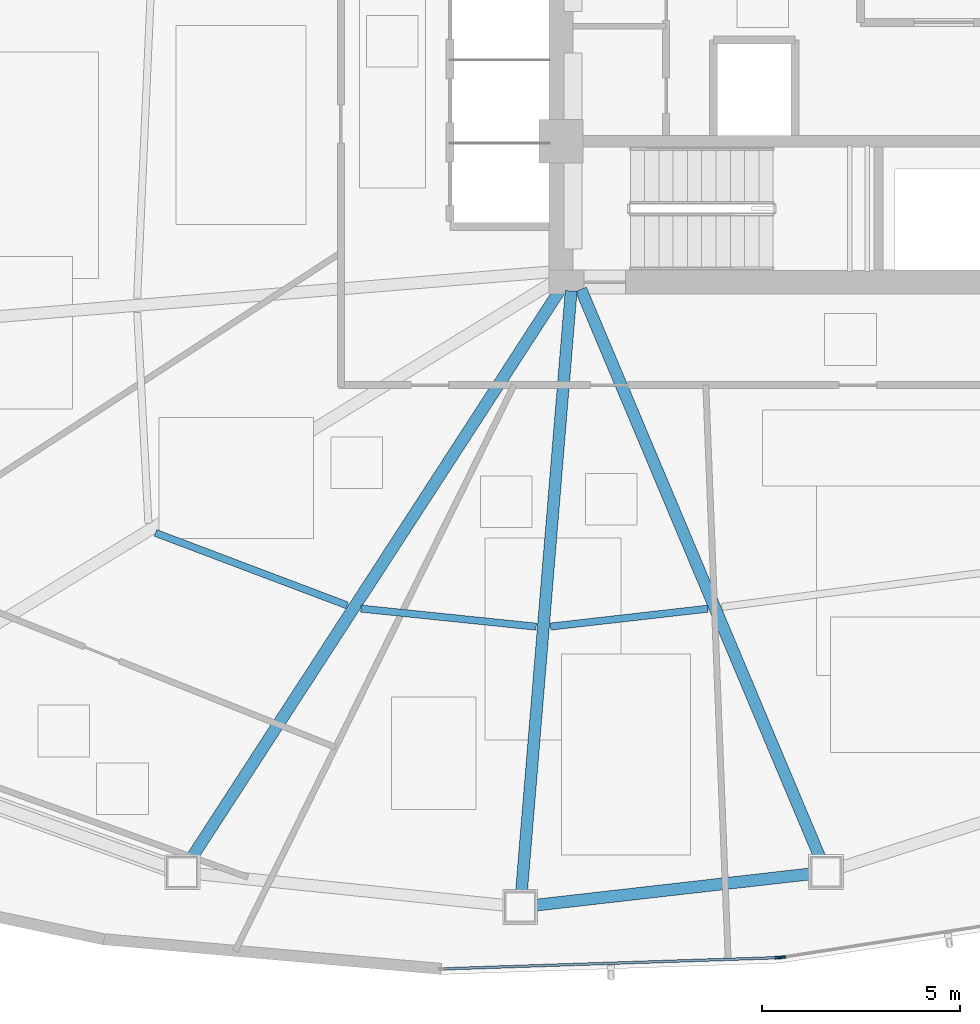
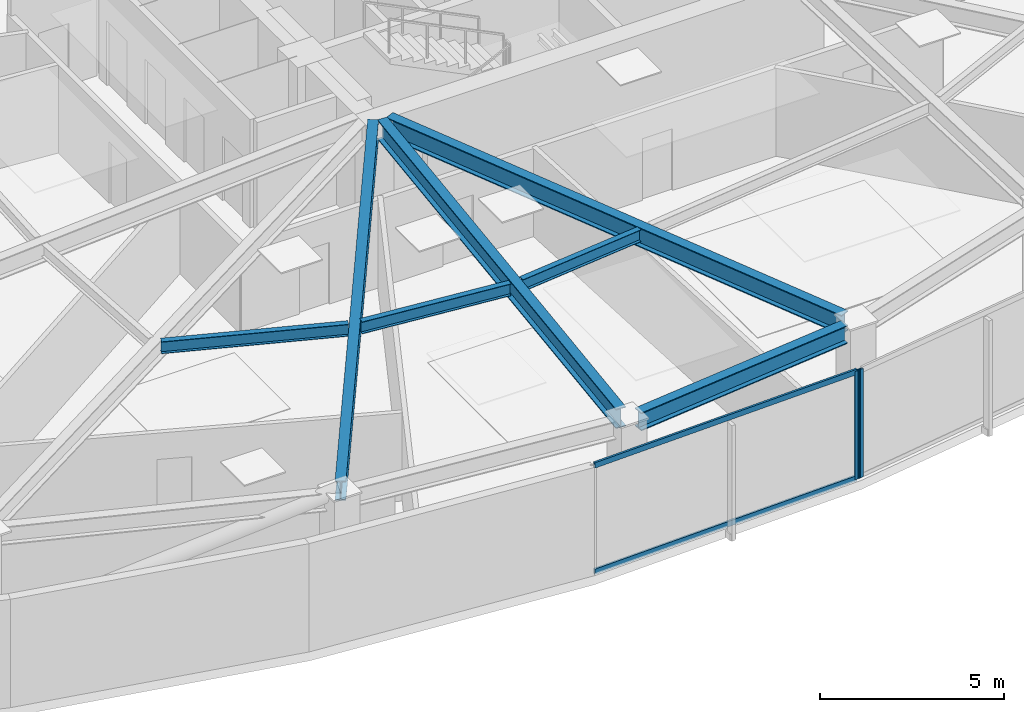
# One storey, part 3 of 18: 7 beams, 4 members, 2 elements without a shape of their own.
"""IFC4 building model written with IfcOpenShell, lengths in metres."""

from ifc_helpers import new_model, si_unit, direction, frame, origin, origin_2d, place, context, subcontext, project, spatial, hollow_rectangle, i_section, extrude, source, transform, mapped, material, layer, layer_set, material_profile, profile_set, type_object, type_shapes, element, aggregate, save


model = new_model("IFC4")

# Units and contexts
model_context = context("Model", 3, precision=1e-05, world=origin(), true_north=direction((0.0, 1.0)))
body_context = subcontext(model_context, "Body", "Model", "MODEL_VIEW")
ifc_project = project(units=[si_unit("LENGTHUNIT", "METRE"), si_unit("AREAUNIT", "SQUARE_METRE"), si_unit("VOLUMEUNIT", "CUBIC_METRE"), si_unit("PLANEANGLEUNIT", "RADIAN"), si_unit("MASSUNIT", "GRAM", prefix="KILO")], contexts=[model_context])

# Site, building, storey
site_placement = place(None, origin())
site = spatial("IfcSite", under=ifc_project, at=site_placement, CompositionType="ELEMENT")
building_placement = place(site_placement, origin())
building = spatial("IfcBuilding", under=site, at=building_placement, Name="Tavelor Broadcast Tower", CompositionType="ELEMENT")
storey_placement = place(building_placement, frame((0.0, 0.0, 47.10009765625)))
storey = spatial("IfcBuildingStorey", under=building, at=storey_placement, Name="L10", CompositionType="ELEMENT", Elevation=47.10009765625)

# Beams
ifc_material_1 = material(Name="Steel S355", Category="steel")
ifc_material_profile_1 = material_profile(ifc_material_1, i_section(OverallWidth=0.179931640625, OverallDepth=0.39990234375, WebThickness=0.008544921875, FlangeThickness=0.013427734375, at=origin_2d()), Name="IPE 400")
ifc_profile_set_1 = profile_set([ifc_material_profile_1], Name="Steel S355")
beam_type_1 = type_object("IfcBeamType", Name="Composite Floor Joist T1 IPE 400", PredefinedType="JOIST", material=ifc_profile_set_1)
beam_1_placement = place(storey_placement, frame((32.875732421875, 32.172119140625, 3.39990234375), z_axis=(0.935393222228, -0.353609275629, 0.0), x_axis=(0.353609275629, 0.935393222228, 0.0)))
element("IfcBeam", 1, at=beam_1_placement, inside=storey, type_object=beam_type_1, Name="L10 Secondary Composite Floor Joist 07", PredefinedType="JOIST", context=body_context, shape_type="SweptSolid", body=[
    extrude(i_section(OverallWidth=0.179931640625, OverallDepth=0.39990234375, WebThickness=0.008544921875, FlangeThickness=0.013427734375, at=origin_2d()), origin(), (0.0, 0.0, 1.0), 5.16357421875),
])
beam_2_placement = place(storey_placement, frame((38.05517578125, 30.263671875, 3.39990234375), z_axis=(0.994731276638, -0.102516765835, 0.0), x_axis=(0.102516765835, 0.994731276638, 0.0)))
element("IfcBeam", 2, at=beam_2_placement, inside=storey, type_object=beam_type_1, Name="L10 Secondary Composite Floor Joist 08", PredefinedType="JOIST", context=body_context, shape_type="SweptSolid", body=[
    extrude(i_section(OverallWidth=0.179931640625, OverallDepth=0.39990234375, WebThickness=0.008544921875, FlangeThickness=0.013427734375, at=origin_2d()), origin(), (0.0, 0.0, 1.0), 4.44384765625),
])
beam_3_placement = place(storey_placement, frame((42.83544921875, 29.81005859375, 3.39990234375), z_axis=(0.993584195036, 0.113094860076, 0.0), x_axis=(-0.113094860076, 0.993584195036, 0.0)))
element("IfcBeam", 3, at=beam_3_placement, inside=storey, type_object=beam_type_1, Name="L10 Secondary Composite Floor Joist 09", PredefinedType="JOIST", context=body_context, shape_type="SweptSolid", body=[
    extrude(i_section(OverallWidth=0.179931640625, OverallDepth=0.39990234375, WebThickness=0.008544921875, FlangeThickness=0.013427734375, at=origin_2d()), origin(), (0.0, 0.0, 1.0), 3.99365234375),
])
ifc_material_profile_2 = material_profile(ifc_material_1, i_section(OverallWidth=0.300048828125, OverallDepth=0.60009765625, WebThickness=0.015380859375, FlangeThickness=0.030029296875, at=origin_2d()), Name="HEB 600")
ifc_profile_set_2 = profile_set([ifc_material_profile_2], Name="Steel S355")
beam_type_2 = type_object("IfcBeamType", Name="Perimeter Spandrel Beam T1 HEB 600", PredefinedType="SPANDREL", material=ifc_profile_set_2)
beam_4_placement = place(storey_placement, frame((42.45458984375, 22.783935546875, 3.2998046875), z_axis=(0.993590028959, 0.113043594921, 0.0), x_axis=(-0.113043594921, 0.993590028959, 0.0)))
element("IfcBeam", 4, at=beam_4_placement, inside=storey, type_object=beam_type_2, Name="L10 Framed-Tube Ring Spandrel 09", PredefinedType="SPANDREL", context=body_context, shape_type="SweptSolid", body=[
    extrude(i_section(OverallWidth=0.300048828125, OverallDepth=0.60009765625, WebThickness=0.015380859375, FlangeThickness=0.030029296875, at=origin_2d()), origin(), (0.0, 0.0, 1.0), 6.995361328125),
])
ifc_material_profile_3 = material_profile(ifc_material_1, i_section(OverallWidth=0.300048828125, OverallDepth=0.64990234375, WebThickness=0.01611328125, FlangeThickness=0.031005859375, at=origin_2d()), Name="HEB 650")
ifc_profile_set_3 = profile_set([ifc_material_profile_3], Name="Steel S355")
beam_type_3 = type_object("IfcBeamType", Name="Radial Floor Girder T1 HEB 650", PredefinedType="BEAM", material=ifc_profile_set_3)
beam_5_placement = place(storey_placement, frame((43.11279296875, 38.35693359375, 3.27490234375), z_axis=(-0.544182728087, -0.838966720706, 0.0), x_axis=(0.838966720706, -0.544182728087, 0.0)))
element("IfcBeam", 5, at=beam_5_placement, inside=storey, type_object=beam_type_3, Name="L10 Radial Primary Floor Girder 08", PredefinedType="BEAM", context=body_context, shape_type="SweptSolid", body=[
    extrude(i_section(OverallWidth=0.300048828125, OverallDepth=0.64990234375, WebThickness=0.01611328125, FlangeThickness=0.031005859375, at=origin_2d()), origin(), (0.0, 0.0, 1.0), 17.186767578125),
])
beam_6_placement = place(storey_placement, frame((43.3564453125, 38.273681640625, 3.27490234375), z_axis=(-0.082338386508, -0.996604430106, 0.0), x_axis=(0.996604430106, -0.082338386508, 0.0)))
element("IfcBeam", 6, at=beam_6_placement, inside=storey, type_object=beam_type_3, Name="L10 Radial Primary Floor Girder 09", PredefinedType="BEAM", context=body_context, shape_type="SweptSolid", body=[
    extrude(i_section(OverallWidth=0.300048828125, OverallDepth=0.64990234375, WebThickness=0.01611328125, FlangeThickness=0.031005859375, at=origin_2d()), origin(), (0.0, 0.0, 1.0), 15.201904296875),
])
beam_7_placement = place(storey_placement, frame((43.604736328125, 38.313232421875, 3.27490234375), z_axis=(0.387757434366, -0.921761450753, 0.0), x_axis=(0.921761450753, 0.387757434366, 0.0)))
element("IfcBeam", 7, at=beam_7_placement, inside=storey, type_object=beam_type_3, Name="L10 Radial Primary Floor Girder 10", PredefinedType="BEAM", context=body_context, shape_type="SweptSolid", body=[
    extrude(i_section(OverallWidth=0.300048828125, OverallDepth=0.64990234375, WebThickness=0.01611328125, FlangeThickness=0.031005859375, at=origin_2d()), origin(), (0.0, 0.0, 1.0), 15.55859375),
])

# Curtain wall, member
ifc_material_2 = material(Name="Architectural Anodized Aluminium", Category="aluminium")
ifc_layer = layer(ifc_material_2, 0.179931640625)
ifc_layer_set = layer_set([ifc_layer], Name="Architectural Anodized Aluminium")
curtain_wall_type = type_object("IfcCurtainWallType", Name="Tower Low-Zone Unitised Curtain Wall CW02", PredefinedType="NOTDEFINED", material=ifc_layer_set)
curtain_wall_1_placement = place(storey_placement, origin())
curtain_wall_1 = element("IfcCurtainWall", 8, at=curtain_wall_1_placement, inside=storey, type_object=curtain_wall_type, Name="L10 Curtain Wall CW02 Run 77", PredefinedType="NOTDEFINED")
ifc_material_profile_4 = material_profile(ifc_material_2, hollow_rectangle(XDim=0.06494140625, YDim=0.179931640625, WallThickness=0.02197265625, at=origin_2d()), Name="RHS 65x180x22")
ifc_profile_set_4 = profile_set([ifc_material_profile_4], Name="Architectural Anodized Aluminium")
member_type_1 = type_object("IfcMemberType", Name="CW02 Extruded Aluminium Mullion 65x180", PredefinedType="MULLION", material=ifc_profile_set_4)
shared_shape_1 = source(origin(), body_context, "Body", "SweptSolid", [
    extrude(hollow_rectangle(XDim=0.06494140625, YDim=0.179931640625, WallThickness=0.02197265625, at=origin_2d()), origin(), (0.0, 0.0, 1.0), 3.599853515625),
])
type_shapes(member_type_1, [shared_shape_1])
member_1_placement = place(storey_placement, frame((48.577392578125, 21.461181640625, 0.0), z_axis=(0.0, 0.0, 1.0), x_axis=(-0.033578147223, 0.99943609502, 0.0)))
member_1 = element("IfcMember", 9, at=member_1_placement, type_object=member_type_1, Name="CW02 mullion 2", PredefinedType="MULLION", context=body_context, shape_type="MappedRepresentation", body=[
    mapped(shared_shape_1, transform((0.0, 0.0, 0.0), scale=1.0)),
])

curtain_wall_2_placement = place(storey_placement, origin())
curtain_wall_2 = element("IfcCurtainWall", 10, at=curtain_wall_2_placement, inside=storey, type_object=curtain_wall_type, Name="L10 Curtain Wall CW02 Run 78", PredefinedType="NOTDEFINED")
member_2_placement = place(storey_placement, frame((48.671875, 21.47021484375, 0.0), z_axis=(0.0, 0.0, 1.0), x_axis=(-0.154288089461, 0.988025903229, 0.0)))
member_2 = element("IfcMember", 11, at=member_2_placement, type_object=member_type_1, Name="CW02 mullion 1", PredefinedType="MULLION", context=body_context, shape_type="MappedRepresentation", body=[
    mapped(shared_shape_1, transform((0.0, 0.0, 0.0), scale=1.0)),
])
aggregate(curtain_wall_2, [member_2])

# Member
ifc_material_profile_5 = material_profile(ifc_material_2, hollow_rectangle(XDim=0.06494140625, YDim=0.179931640625, WallThickness=0.02197265625, at=origin_2d()), Name="RHS 65x180x22")
ifc_profile_set_5 = profile_set([ifc_material_profile_5], Name="Architectural Anodized Aluminium")
member_type_2 = type_object("IfcMemberType", Name="CW02 Extruded Aluminium Transom 65x180", PredefinedType="USERDEFINED", material=ifc_profile_set_5)
shared_shape_2 = source(origin(), body_context, "Body", "SweptSolid", [
    extrude(hollow_rectangle(XDim=0.06494140625, YDim=0.179931640625, WallThickness=0.02197265625, at=origin_2d()), origin(), (0.0, 0.0, 1.0), 8.4052734375),
])
type_shapes(member_type_2, [shared_shape_2])
member_3_placement = place(storey_placement, frame((40.144287109375, 21.177978515625, 0.032470703125), z_axis=(0.999436136316, 0.033576918062, 0.0), x_axis=(-0.033576918062, 0.999436136316, 0.0)))
member_3 = element("IfcMember", 12, at=member_3_placement, type_object=member_type_2, Name="CW02 transom 1.1", ObjectType="TRANSOM", PredefinedType="USERDEFINED", context=body_context, shape_type="MappedRepresentation", body=[
    mapped(shared_shape_2, transform((0.0, 0.0, 0.0), scale=1.0)),
])

member_4_placement = place(storey_placement, frame((40.144287109375, 21.177978515625, 3.5673828125), z_axis=(0.999436136316, 0.033576918062, 0.0), x_axis=(-0.033576918062, 0.999436136316, 0.0)))
member_4 = element("IfcMember", 13, at=member_4_placement, type_object=member_type_2, Name="CW02 transom 1.2", ObjectType="TRANSOM", PredefinedType="USERDEFINED", context=body_context, shape_type="MappedRepresentation", body=[
    mapped(shared_shape_2, transform((0.0, 0.0, 0.0), scale=1.0)),
])

aggregate(curtain_wall_1, [member_1, member_3, member_4])

save(model, "model.ifc")
